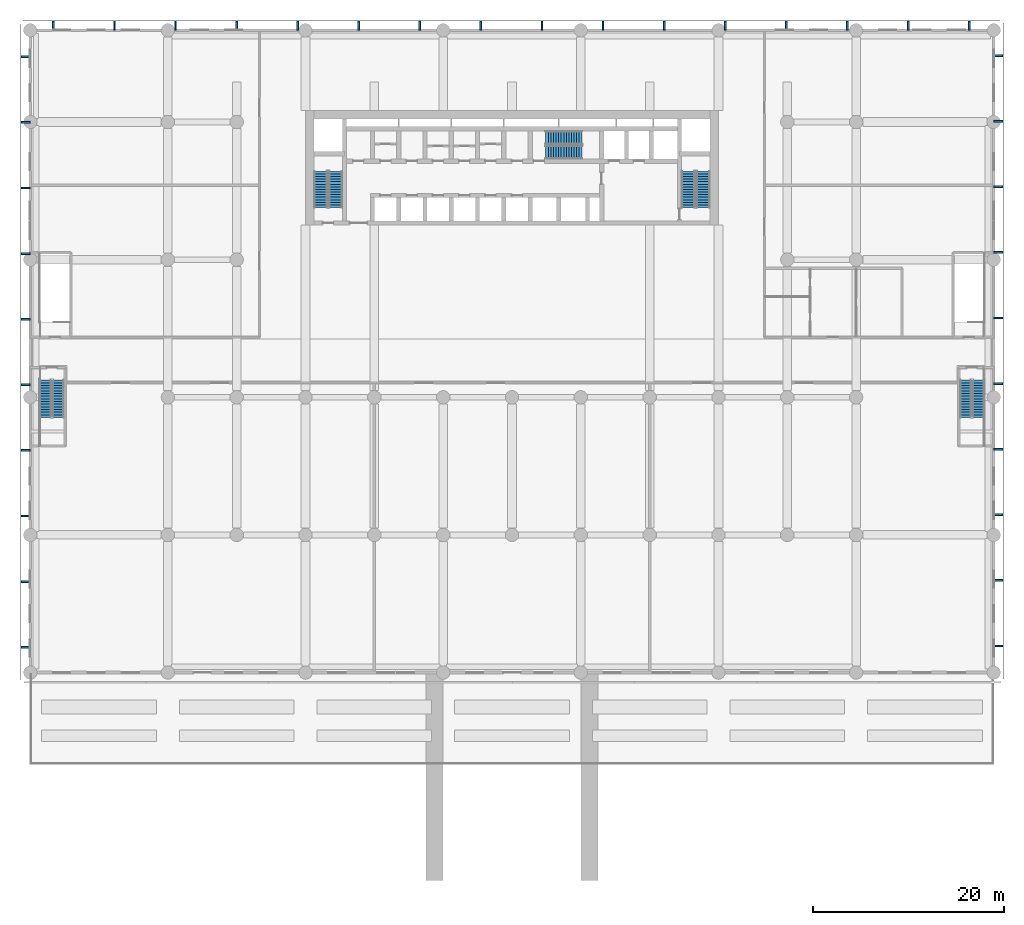
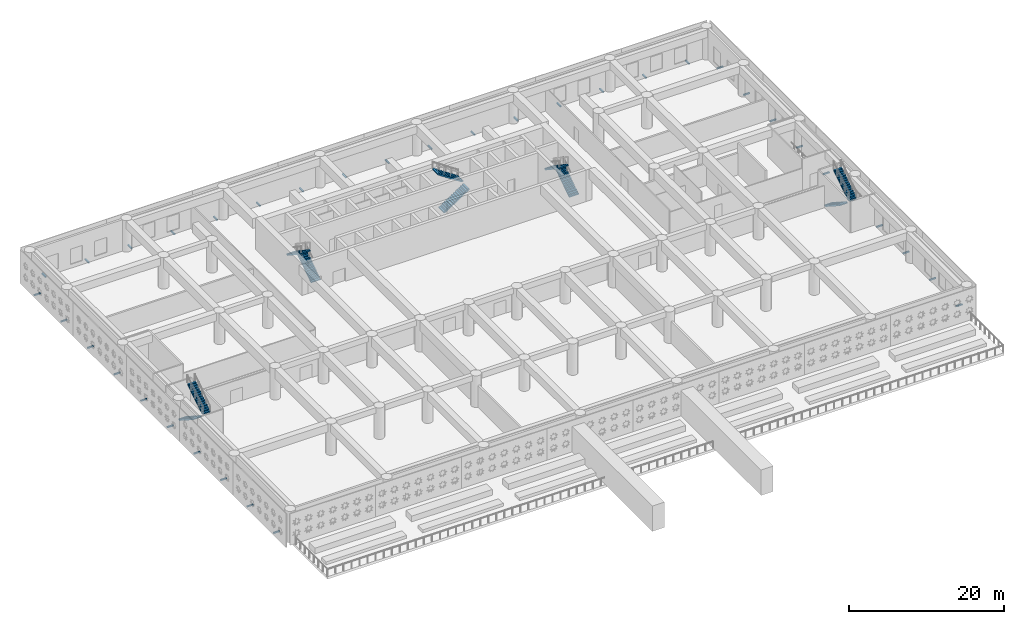
# One storey, part 10 of 24: 36 discrete accessories, 10 stair flights, 5 elements without a shape of their own.
"""IFC4 building model written with IfcOpenShell, lengths in metres."""

from ifc_helpers import new_model, si_unit, direction, frame, origin, origin_2d, place, context, subcontext, project, spatial, polyline, rectangle, outline, extrude, source, transform, mapped, material, layer, layer_set, type_object, element, aggregate, save


model = new_model("IFC4")

# Units and contexts
model_context = context("Model", 3, precision=1e-05, world=origin(), true_north=direction((0.0, 1.0)))
body_context = subcontext(model_context, "Body", "Model", "MODEL_VIEW")
ifc_project = project(units=[si_unit("LENGTHUNIT", "METRE"), si_unit("AREAUNIT", "SQUARE_METRE"), si_unit("VOLUMEUNIT", "CUBIC_METRE"), si_unit("PLANEANGLEUNIT", "RADIAN"), si_unit("MASSUNIT", "GRAM", prefix="KILO")], contexts=[model_context])

# Site, building, storey
site_placement = place(None, origin())
site = spatial("IfcSite", under=ifc_project, at=site_placement, CompositionType="ELEMENT")
building_placement = place(site_placement, origin())
building = spatial("IfcBuilding", under=site, at=building_placement, Name="Saffron Iwan Residences", CompositionType="ELEMENT")
storey_placement = place(building_placement, frame((0.0, 0.0, 21.60009765625)))
storey = spatial("IfcBuildingStorey", under=building, at=storey_placement, Name="L04", CompositionType="ELEMENT", Elevation=21.60009765625)

# Stair, stair flights
ifc_material_1 = material(Name="Concrete C40/50", Category="concrete")
stair_type_1 = type_object("IfcStairType", Name="Podium stair, reinforced concrete", PredefinedType="HALF_TURN_STAIR", material=ifc_material_1)
stair_1_placement = place(storey_placement, origin())
stair_1 = element("IfcStair", 1, at=stair_1_placement, inside=storey, type_object=stair_type_1, Name="L04 Podium Stair 1", PredefinedType="HALF_TURN_STAIR")
stair_flight_type_1 = type_object("IfcStairFlightType", Name="Podium stair flight, reinforced concrete", PredefinedType="STRAIGHT", material=ifc_material_1)
stair_flight_1_placement = place(storey_placement, frame((1.60009765625, 49.800048828125, 0.0), z_axis=(0.0, 0.0, 1.0), x_axis=(0.0, -1.0, 0.0)))
stair_flight_1 = element("IfcStairFlight", 2, at=stair_flight_1_placement, type_object=stair_flight_type_1, Name="PS1 flight 1", NumberOfRisers=15, NumberOfTreads=14, PredefinedType="STRAIGHT", RiserHeight=0.18, TreadLength=0.28, context=body_context, shape_type="SweptSolid", body=[
    extrude(outline(polyline([(0.0, 0.0), (0.0, 0.179931640625), (0.280029296875, 0.179931640625), (0.280029296875, 0.360107421875), (0.56005859375, 0.360107421875), (0.56005859375, 0.5400390625), (0.840087890625, 0.5400390625), (0.840087890625, 0.719970703125), (1.1201171875, 0.719970703125), (1.1201171875, 0.89990234375), (1.39990234375, 0.89990234375), (1.39990234375, 1.080078125), (1.679931640625, 1.080078125), (1.679931640625, 1.260009765625), (1.9599609375, 1.260009765625), (1.9599609375, 1.43994140625), (2.239990234375, 1.43994140625), (2.239990234375, 1.6201171875), (2.52001953125, 1.6201171875), (2.52001953125, 1.800048828125), (2.800048828125, 1.800048828125), (2.800048828125, 1.97998046875), (3.080078125, 1.97998046875), (3.080078125, 2.159912109375), (3.360107421875, 2.159912109375), (3.360107421875, 2.340087890625), (3.639892578125, 2.340087890625), (3.639892578125, 2.52001953125), (3.919921875, 2.52001953125), (3.919921875, 2.699951171875), (3.919921875, 2.341796875), (0.277099609375, 0.0), (0.0, 0.0)])), frame((0.0, 0.60009765625, 0.0), z_axis=(0.0, -1.0, 0.0), x_axis=(1.0, 0.0, 0.0)), (0.0, 0.0, 1.0), 1.199951171875),
])
stair_flight_2_placement = place(storey_placement, frame((2.949951171875, 45.8798828125, 2.699951171875), z_axis=(0.0, 0.0, 1.0), x_axis=(0.0, 1.0, 0.0)))
stair_flight_2 = element("IfcStairFlight", 3, at=stair_flight_2_placement, type_object=stair_flight_type_1, Name="PS1 flight 2", NumberOfRisers=15, NumberOfTreads=14, PredefinedType="STRAIGHT", RiserHeight=0.18, TreadLength=0.28, context=body_context, shape_type="SweptSolid", body=[
    extrude(outline(polyline([(0.0, 0.0), (0.0, 0.179931640625), (0.280029296875, 0.179931640625), (0.280029296875, 0.360107421875), (0.56005859375, 0.360107421875), (0.56005859375, 0.5400390625), (0.840087890625, 0.5400390625), (0.840087890625, 0.719970703125), (1.1201171875, 0.719970703125), (1.1201171875, 0.89990234375), (1.39990234375, 0.89990234375), (1.39990234375, 1.080078125), (1.679931640625, 1.080078125), (1.679931640625, 1.260009765625), (1.9599609375, 1.260009765625), (1.9599609375, 1.43994140625), (2.239990234375, 1.43994140625), (2.239990234375, 1.6201171875), (2.52001953125, 1.6201171875), (2.52001953125, 1.800048828125), (2.800048828125, 1.800048828125), (2.800048828125, 1.97998046875), (3.080078125, 1.97998046875), (3.080078125, 2.159912109375), (3.360107421875, 2.159912109375), (3.360107421875, 2.340087890625), (3.639892578125, 2.340087890625), (3.639892578125, 2.52001953125), (3.919921875, 2.52001953125), (3.919921875, 2.699951171875), (3.919921875, 2.341796875), (0.277099609375, 0.0), (0.0, 0.0)])), frame((0.0, 0.60009765625, 0.0), z_axis=(0.0, -1.0, 0.0), x_axis=(1.0, 0.0, 0.0)), (0.0, 0.0, 1.0), 1.199951171875),
])
aggregate(stair_1, [stair_flight_1, stair_flight_2])

stair_2_placement = place(storey_placement, origin())
stair_2 = element("IfcStair", 4, at=stair_2_placement, inside=storey, type_object=stair_type_1, Name="L04 Podium Stair 2", PredefinedType="HALF_TURN_STAIR")
stair_flight_3_placement = place(storey_placement, frame((97.85009765625, 49.800048828125, 0.0), z_axis=(0.0, 0.0, 1.0), x_axis=(0.0, -1.0, 0.0)))
stair_flight_3 = element("IfcStairFlight", 5, at=stair_flight_3_placement, type_object=stair_flight_type_1, Name="PS2 flight 1", NumberOfRisers=15, NumberOfTreads=14, PredefinedType="STRAIGHT", RiserHeight=0.18, TreadLength=0.28, context=body_context, shape_type="SweptSolid", body=[
    extrude(outline(polyline([(0.0, 0.0), (0.0, 0.179931640625), (0.280029296875, 0.179931640625), (0.280029296875, 0.360107421875), (0.56005859375, 0.360107421875), (0.56005859375, 0.5400390625), (0.840087890625, 0.5400390625), (0.840087890625, 0.719970703125), (1.1201171875, 0.719970703125), (1.1201171875, 0.89990234375), (1.39990234375, 0.89990234375), (1.39990234375, 1.080078125), (1.679931640625, 1.080078125), (1.679931640625, 1.260009765625), (1.9599609375, 1.260009765625), (1.9599609375, 1.43994140625), (2.239990234375, 1.43994140625), (2.239990234375, 1.6201171875), (2.52001953125, 1.6201171875), (2.52001953125, 1.800048828125), (2.800048828125, 1.800048828125), (2.800048828125, 1.97998046875), (3.080078125, 1.97998046875), (3.080078125, 2.159912109375), (3.360107421875, 2.159912109375), (3.360107421875, 2.340087890625), (3.639892578125, 2.340087890625), (3.639892578125, 2.52001953125), (3.919921875, 2.52001953125), (3.919921875, 2.699951171875), (3.919921875, 2.341796875), (0.277099609375, 0.0), (0.0, 0.0)])), frame((0.0, 0.60009765625, 0.0), z_axis=(0.0, -1.0, 0.0), x_axis=(1.0, 0.0, 0.0)), (0.0, 0.0, 1.0), 1.199951171875),
])
stair_flight_4_placement = place(storey_placement, frame((99.199951171875, 45.8798828125, 2.699951171875), z_axis=(0.0, 0.0, 1.0), x_axis=(0.0, 1.0, 0.0)))
stair_flight_4 = element("IfcStairFlight", 6, at=stair_flight_4_placement, type_object=stair_flight_type_1, Name="PS2 flight 2", NumberOfRisers=15, NumberOfTreads=14, PredefinedType="STRAIGHT", RiserHeight=0.18, TreadLength=0.28, context=body_context, shape_type="SweptSolid", body=[
    extrude(outline(polyline([(0.0, 0.0), (0.0, 0.179931640625), (0.280029296875, 0.179931640625), (0.280029296875, 0.360107421875), (0.56005859375, 0.360107421875), (0.56005859375, 0.5400390625), (0.840087890625, 0.5400390625), (0.840087890625, 0.719970703125), (1.1201171875, 0.719970703125), (1.1201171875, 0.89990234375), (1.39990234375, 0.89990234375), (1.39990234375, 1.080078125), (1.679931640625, 1.080078125), (1.679931640625, 1.260009765625), (1.9599609375, 1.260009765625), (1.9599609375, 1.43994140625), (2.239990234375, 1.43994140625), (2.239990234375, 1.6201171875), (2.52001953125, 1.6201171875), (2.52001953125, 1.800048828125), (2.800048828125, 1.800048828125), (2.800048828125, 1.97998046875), (3.080078125, 1.97998046875), (3.080078125, 2.159912109375), (3.360107421875, 2.159912109375), (3.360107421875, 2.340087890625), (3.639892578125, 2.340087890625), (3.639892578125, 2.52001953125), (3.919921875, 2.52001953125), (3.919921875, 2.699951171875), (3.919921875, 2.341796875), (0.277099609375, 0.0), (0.0, 0.0)])), frame((0.0, 0.60009765625, 0.0), z_axis=(0.0, -1.0, 0.0), x_axis=(1.0, 0.0, 0.0)), (0.0, 0.0, 1.0), 1.199951171875),
])
aggregate(stair_2, [stair_flight_3, stair_flight_4])

ifc_material_2 = material(Name="Concrete C50/60", Category="concrete")
stair_type_2 = type_object("IfcStairType", Name="Stair ST-CORE", PredefinedType="HALF_TURN_STAIR", material=ifc_material_2)
stair_3_placement = place(storey_placement, origin())
stair_3 = element("IfcStair", 7, at=stair_3_placement, inside=storey, type_object=stair_type_2, Name="L04 Exit Stair ST-W", PredefinedType="HALF_TURN_STAIR")
ifc_layer = layer(ifc_material_2, 0.14990234375)
ifc_layer_set = layer_set([ifc_layer], Name="Concrete C50/60")
stair_flight_type_2 = type_object("IfcStairFlightType", Name="Stair flight SFL-RC", PredefinedType="STRAIGHT", material=ifc_layer_set)
stair_flight_5_placement = place(storey_placement, frame((31.949951171875, 67.85009765625, 0.0), z_axis=(0.0, 0.0, 1.0), x_axis=(0.0, 1.0, 0.0)))
stair_flight_5 = element("IfcStairFlight", 8, at=stair_flight_5_placement, type_object=stair_flight_type_2, Name="ST-W flight 1", NumberOfRisers=15, NumberOfTreads=14, PredefinedType="STRAIGHT", RiserHeight=0.18, TreadLength=0.27, context=body_context, shape_type="SweptSolid", body=[
    extrude(outline(polyline([(0.0, 0.0), (0.0, 0.179931640625), (0.27001953125, 0.179931640625), (0.27001953125, 0.360107421875), (0.5400390625, 0.360107421875), (0.5400390625, 0.5400390625), (0.81005859375, 0.5400390625), (0.81005859375, 0.719970703125), (1.080078125, 0.719970703125), (1.080078125, 0.89990234375), (1.35009765625, 0.89990234375), (1.35009765625, 1.080078125), (1.6201171875, 1.080078125), (1.6201171875, 1.260009765625), (1.889892578125, 1.260009765625), (1.889892578125, 1.43994140625), (2.159912109375, 1.43994140625), (2.159912109375, 1.6201171875), (2.429931640625, 1.6201171875), (2.429931640625, 1.800048828125), (2.699951171875, 1.800048828125), (2.699951171875, 1.97998046875), (2.969970703125, 1.97998046875), (2.969970703125, 2.159912109375), (3.239990234375, 2.159912109375), (3.239990234375, 2.340087890625), (3.510009765625, 2.340087890625), (3.510009765625, 2.52001953125), (3.780029296875, 2.52001953125), (3.780029296875, 2.699951171875), (3.780029296875, 2.33984375), (0.270263671875, 0.0), (0.0, 0.0)])), frame((0.0, 0.699951171875, 0.0), z_axis=(0.0, -1.0, 0.0), x_axis=(1.0, 0.0, 0.0)), (0.0, 0.0, 1.0), 1.39990234375),
])
stair_flight_6_placement = place(storey_placement, frame((30.39990234375, 71.6298828125, 2.699951171875), z_axis=(0.0, 0.0, 1.0), x_axis=(0.0, -1.0, 0.0)))
stair_flight_6 = element("IfcStairFlight", 9, at=stair_flight_6_placement, type_object=stair_flight_type_2, Name="ST-W flight 2", NumberOfRisers=15, NumberOfTreads=14, PredefinedType="STRAIGHT", RiserHeight=0.18, TreadLength=0.27, context=body_context, shape_type="SweptSolid", body=[
    extrude(outline(polyline([(0.0, 0.0), (0.0, 0.179931640625), (0.27001953125, 0.179931640625), (0.27001953125, 0.360107421875), (0.5400390625, 0.360107421875), (0.5400390625, 0.5400390625), (0.81005859375, 0.5400390625), (0.81005859375, 0.719970703125), (1.080078125, 0.719970703125), (1.080078125, 0.89990234375), (1.35009765625, 0.89990234375), (1.35009765625, 1.080078125), (1.6201171875, 1.080078125), (1.6201171875, 1.260009765625), (1.889892578125, 1.260009765625), (1.889892578125, 1.43994140625), (2.159912109375, 1.43994140625), (2.159912109375, 1.6201171875), (2.429931640625, 1.6201171875), (2.429931640625, 1.800048828125), (2.699951171875, 1.800048828125), (2.699951171875, 1.97998046875), (2.969970703125, 1.97998046875), (2.969970703125, 2.159912109375), (3.239990234375, 2.159912109375), (3.239990234375, 2.340087890625), (3.510009765625, 2.340087890625), (3.510009765625, 2.52001953125), (3.780029296875, 2.52001953125), (3.780029296875, 2.699951171875), (3.780029296875, 2.33984375), (0.270263671875, 0.0), (0.0, 0.0)])), frame((0.0, 0.699951171875, 0.0), z_axis=(0.0, -1.0, 0.0), x_axis=(1.0, 0.0, 0.0)), (0.0, 0.0, 1.0), 1.39990234375),
])
aggregate(stair_3, [stair_flight_5, stair_flight_6])

stair_4_placement = place(storey_placement, origin())
stair_4 = element("IfcStair", 10, at=stair_4_placement, inside=storey, type_object=stair_type_2, Name="L04 Exit Stair ST-C", PredefinedType="HALF_TURN_STAIR")
stair_flight_7_placement = place(storey_placement, frame((53.925048828125, 73.625, 0.0), z_axis=(0.0, 0.0, 1.0), x_axis=(1.0, 0.0, 0.0)))
stair_flight_7 = element("IfcStairFlight", 11, at=stair_flight_7_placement, type_object=stair_flight_type_2, Name="ST-C flight 1", NumberOfRisers=15, NumberOfTreads=14, PredefinedType="STRAIGHT", RiserHeight=0.18, TreadLength=0.27, context=body_context, shape_type="SweptSolid", body=[
    extrude(outline(polyline([(0.0, 0.0), (0.0, 0.179931640625), (0.27001953125, 0.179931640625), (0.27001953125, 0.360107421875), (0.5400390625, 0.360107421875), (0.5400390625, 0.5400390625), (0.81005859375, 0.5400390625), (0.81005859375, 0.719970703125), (1.080078125, 0.719970703125), (1.080078125, 0.89990234375), (1.35009765625, 0.89990234375), (1.35009765625, 1.080078125), (1.6201171875, 1.080078125), (1.6201171875, 1.260009765625), (1.889892578125, 1.260009765625), (1.889892578125, 1.43994140625), (2.159912109375, 1.43994140625), (2.159912109375, 1.6201171875), (2.429931640625, 1.6201171875), (2.429931640625, 1.800048828125), (2.699951171875, 1.800048828125), (2.699951171875, 1.97998046875), (2.969970703125, 1.97998046875), (2.969970703125, 2.159912109375), (3.239990234375, 2.159912109375), (3.239990234375, 2.340087890625), (3.510009765625, 2.340087890625), (3.510009765625, 2.52001953125), (3.780029296875, 2.52001953125), (3.780029296875, 2.699951171875), (3.780029296875, 2.33984375), (0.270263671875, 0.0), (0.0, 0.0)])), frame((0.0, 0.699951171875, 0.0), z_axis=(0.0, -1.0, 0.0), x_axis=(1.0, 0.0, 0.0)), (0.0, 0.0, 1.0), 1.39990234375),
])
stair_flight_8_placement = place(storey_placement, frame((57.705078125, 75.175048828125, 2.699951171875), z_axis=(0.0, 0.0, 1.0), x_axis=(-1.0, 0.0, 0.0)))
stair_flight_8 = element("IfcStairFlight", 12, at=stair_flight_8_placement, type_object=stair_flight_type_2, Name="ST-C flight 2", NumberOfRisers=15, NumberOfTreads=14, PredefinedType="STRAIGHT", RiserHeight=0.18, TreadLength=0.27, context=body_context, shape_type="SweptSolid", body=[
    extrude(outline(polyline([(0.0, 0.0), (0.0, 0.179931640625), (0.27001953125, 0.179931640625), (0.27001953125, 0.360107421875), (0.5400390625, 0.360107421875), (0.5400390625, 0.5400390625), (0.81005859375, 0.5400390625), (0.81005859375, 0.719970703125), (1.080078125, 0.719970703125), (1.080078125, 0.89990234375), (1.35009765625, 0.89990234375), (1.35009765625, 1.080078125), (1.6201171875, 1.080078125), (1.6201171875, 1.260009765625), (1.889892578125, 1.260009765625), (1.889892578125, 1.43994140625), (2.159912109375, 1.43994140625), (2.159912109375, 1.6201171875), (2.429931640625, 1.6201171875), (2.429931640625, 1.800048828125), (2.699951171875, 1.800048828125), (2.699951171875, 1.97998046875), (2.969970703125, 1.97998046875), (2.969970703125, 2.159912109375), (3.239990234375, 2.159912109375), (3.239990234375, 2.340087890625), (3.510009765625, 2.340087890625), (3.510009765625, 2.52001953125), (3.780029296875, 2.52001953125), (3.780029296875, 2.699951171875), (3.780029296875, 2.33984375), (0.270263671875, 0.0), (0.0, 0.0)])), frame((0.0, 0.699951171875, 0.0), z_axis=(0.0, -1.0, 0.0), x_axis=(1.0, 0.0, 0.0)), (0.0, 0.0, 1.0), 1.39990234375),
])
aggregate(stair_4, [stair_flight_7, stair_flight_8])

stair_5_placement = place(storey_placement, origin())
stair_5 = element("IfcStair", 13, at=stair_5_placement, inside=storey, type_object=stair_type_2, Name="L04 Exit Stair ST-E", PredefinedType="HALF_TURN_STAIR")
stair_flight_9_placement = place(storey_placement, frame((70.39990234375, 67.85009765625, 0.0), z_axis=(0.0, 0.0, 1.0), x_axis=(0.0, 1.0, 0.0)))
stair_flight_9 = element("IfcStairFlight", 14, at=stair_flight_9_placement, type_object=stair_flight_type_2, Name="ST-E flight 1", NumberOfRisers=15, NumberOfTreads=14, PredefinedType="STRAIGHT", RiserHeight=0.18, TreadLength=0.27, context=body_context, shape_type="SweptSolid", body=[
    extrude(outline(polyline([(0.0, 0.0), (0.0, 0.179931640625), (0.27001953125, 0.179931640625), (0.27001953125, 0.360107421875), (0.5400390625, 0.360107421875), (0.5400390625, 0.5400390625), (0.81005859375, 0.5400390625), (0.81005859375, 0.719970703125), (1.080078125, 0.719970703125), (1.080078125, 0.89990234375), (1.35009765625, 0.89990234375), (1.35009765625, 1.080078125), (1.6201171875, 1.080078125), (1.6201171875, 1.260009765625), (1.889892578125, 1.260009765625), (1.889892578125, 1.43994140625), (2.159912109375, 1.43994140625), (2.159912109375, 1.6201171875), (2.429931640625, 1.6201171875), (2.429931640625, 1.800048828125), (2.699951171875, 1.800048828125), (2.699951171875, 1.97998046875), (2.969970703125, 1.97998046875), (2.969970703125, 2.159912109375), (3.239990234375, 2.159912109375), (3.239990234375, 2.340087890625), (3.510009765625, 2.340087890625), (3.510009765625, 2.52001953125), (3.780029296875, 2.52001953125), (3.780029296875, 2.699951171875), (3.780029296875, 2.33984375), (0.270263671875, 0.0), (0.0, 0.0)])), frame((0.0, 0.699951171875, 0.0), z_axis=(0.0, -1.0, 0.0), x_axis=(1.0, 0.0, 0.0)), (0.0, 0.0, 1.0), 1.39990234375),
])
stair_flight_10_placement = place(storey_placement, frame((68.85009765625, 71.6298828125, 2.699951171875), z_axis=(0.0, 0.0, 1.0), x_axis=(0.0, -1.0, 0.0)))
stair_flight_10 = element("IfcStairFlight", 15, at=stair_flight_10_placement, type_object=stair_flight_type_2, Name="ST-E flight 2", NumberOfRisers=15, NumberOfTreads=14, PredefinedType="STRAIGHT", RiserHeight=0.18, TreadLength=0.27, context=body_context, shape_type="SweptSolid", body=[
    extrude(outline(polyline([(0.0, 0.0), (0.0, 0.179931640625), (0.27001953125, 0.179931640625), (0.27001953125, 0.360107421875), (0.5400390625, 0.360107421875), (0.5400390625, 0.5400390625), (0.81005859375, 0.5400390625), (0.81005859375, 0.719970703125), (1.080078125, 0.719970703125), (1.080078125, 0.89990234375), (1.35009765625, 0.89990234375), (1.35009765625, 1.080078125), (1.6201171875, 1.080078125), (1.6201171875, 1.260009765625), (1.889892578125, 1.260009765625), (1.889892578125, 1.43994140625), (2.159912109375, 1.43994140625), (2.159912109375, 1.6201171875), (2.429931640625, 1.6201171875), (2.429931640625, 1.800048828125), (2.699951171875, 1.800048828125), (2.699951171875, 1.97998046875), (2.969970703125, 1.97998046875), (2.969970703125, 2.159912109375), (3.239990234375, 2.159912109375), (3.239990234375, 2.340087890625), (3.510009765625, 2.340087890625), (3.510009765625, 2.52001953125), (3.780029296875, 2.52001953125), (3.780029296875, 2.699951171875), (3.780029296875, 2.33984375), (0.270263671875, 0.0), (0.0, 0.0)])), frame((0.0, 0.699951171875, 0.0), z_axis=(0.0, -1.0, 0.0), x_axis=(1.0, 0.0, 0.0)), (0.0, 0.0, 1.0), 1.39990234375),
])
aggregate(stair_5, [stair_flight_9, stair_flight_10])

# Discrete accessories
shared_shape = source(origin(), body_context, "Body", "SweptSolid", [
    extrude(rectangle(XDim=0.949951171875, YDim=0.199951171875, at=origin_2d()), origin(), (0.0, 0.0, 1.0), 0.199951171875),
])
for number, where, z_axis, x_axis, name in (
    (16, (101.27490234375, 21.98095703125, -0.30029296875), (0.0, 0.0, 1.0), (1.0, 0.0, 0.0), "Screen bracket L04 F1.0.0"),
    (17, (101.27490234375, 28.843017578125, -0.30029296875), (0.0, 0.0, 1.0), (1.0, 0.0, 0.0), "Screen bracket L04 F1.0.1"),
    (18, (101.27490234375, 35.705078125, -0.30029296875), (0.0, 0.0, 1.0), (1.0, 0.0, 0.0), "Screen bracket L04 F1.1.0"),
    (19, (101.27490234375, 42.56689453125, -0.30029296875), (0.0, 0.0, 1.0), (1.0, 0.0, 0.0), "Screen bracket L04 F1.1.1"),
    (20, (101.27490234375, 49.428955078125, -0.30029296875), (0.0, 0.0, 1.0), (1.0, 0.0, 0.0), "Screen bracket L04 F1.2.0"),
    (21, (101.27490234375, 56.291015625, -0.30029296875), (0.0, 0.0, 1.0), (1.0, 0.0, 0.0), "Screen bracket L04 F1.2.1"),
    (22, (101.27490234375, 63.153076171875, -0.30029296875), (0.0, 0.0, 1.0), (1.0, 0.0, 0.0), "Screen bracket L04 F1.3.0"),
    (23, (101.27490234375, 70.014892578125, -0.30029296875), (0.0, 0.0, 1.0), (1.0, 0.0, 0.0), "Screen bracket L04 F1.3.1"),
    (24, (101.27490234375, 76.876953125, -0.30029296875), (0.0, 0.0, 1.0), (1.0, 0.0, 0.0), "Screen bracket L04 F1.4.0"),
    (25, (101.27490234375, 83.739013671875, -0.30029296875), (0.0, 0.0, 1.0), (1.0, 0.0, 0.0), "Screen bracket L04 F1.4.1"),
    (26, (98.255615234375, 86.875, -0.30029296875), (0.0, 0.0, 1.0), (0.0, 1.0, 0.0), "Screen bracket L04 F2.0.0"),
    (27, (91.866943359375, 86.875, -0.30029296875), (0.0, 0.0, 1.0), (0.0, 1.0, 0.0), "Screen bracket L04 F2.0.1"),
    (28, (85.47802734375, 86.875, -0.30029296875), (0.0, 0.0, 1.0), (0.0, 1.0, 0.0), "Screen bracket L04 F2.1.0"),
    (29, (79.08935546875, 86.875, -0.30029296875), (0.0, 0.0, 1.0), (0.0, 1.0, 0.0), "Screen bracket L04 F2.1.1"),
    (30, (72.70068359375, 86.875, -0.30029296875), (0.0, 0.0, 1.0), (0.0, 1.0, 0.0), "Screen bracket L04 F2.2.0"),
    (31, (66.31201171875, 86.875, -0.30029296875), (0.0, 0.0, 1.0), (0.0, 1.0, 0.0), "Screen bracket L04 F2.2.1"),
    (32, (59.923095703125, 86.875, -0.30029296875), (0.0, 0.0, 1.0), (0.0, 1.0, 0.0), "Screen bracket L04 F2.3.0"),
    (33, (53.534423828125, 86.875, -0.30029296875), (0.0, 0.0, 1.0), (0.0, 1.0, 0.0), "Screen bracket L04 F2.3.1"),
    (34, (47.1455078125, 86.875, -0.30029296875), (0.0, 0.0, 1.0), (0.0, 1.0, 0.0), "Screen bracket L04 F2.4.0"),
    (35, (40.7568359375, 86.875, -0.30029296875), (0.0, 0.0, 1.0), (0.0, 1.0, 0.0), "Screen bracket L04 F2.4.1"),
    (36, (34.3681640625, 86.875, -0.30029296875), (0.0, 0.0, 1.0), (0.0, 1.0, 0.0), "Screen bracket L04 F2.5.0"),
    (37, (27.9794921875, 86.875, -0.30029296875), (0.0, 0.0, 1.0), (0.0, 1.0, 0.0), "Screen bracket L04 F2.5.1"),
    (38, (21.590576171875, 86.875, -0.30029296875), (0.0, 0.0, 1.0), (0.0, 1.0, 0.0), "Screen bracket L04 F2.6.0"),
    (39, (15.201904296875, 86.875, -0.30029296875), (0.0, 0.0, 1.0), (0.0, 1.0, 0.0), "Screen bracket L04 F2.6.1"),
    (40, (8.81298828125, 86.875, -0.30029296875), (0.0, 0.0, 1.0), (0.0, 1.0, 0.0), "Screen bracket L04 F2.7.0"),
    (41, (2.42431640625, 86.875, -0.30029296875), (0.0, 0.0, 1.0), (0.0, 1.0, 0.0), "Screen bracket L04 F2.7.1"),
    (42, (-0.47509765625, 83.618896484375, -0.30029296875), (0.0, 0.0, 1.0), (-1.0, 0.0, 0.0), "Screen bracket L04 F3.0.0"),
    (43, (-0.47509765625, 76.757080078125, -0.30029296875), (0.0, 0.0, 1.0), (-1.0, 0.0, 0.0), "Screen bracket L04 F3.0.1"),
    (44, (-0.47509765625, 69.89501953125, -0.30029296875), (0.0, 0.0, 1.0), (-1.0, 0.0, 0.0), "Screen bracket L04 F3.1.0"),
    (45, (-0.47509765625, 63.032958984375, -0.30029296875), (0.0, 0.0, 1.0), (-1.0, 0.0, 0.0), "Screen bracket L04 F3.1.1"),
    (46, (-0.47509765625, 56.1708984375, -0.30029296875), (0.0, 0.0, 1.0), (-1.0, 0.0, 0.0), "Screen bracket L04 F3.2.0"),
    (47, (-0.47509765625, 49.30908203125, -0.30029296875), (0.0, 0.0, 1.0), (-1.0, 0.0, 0.0), "Screen bracket L04 F3.2.1"),
    (48, (-0.47509765625, 42.447021484375, -0.30029296875), (0.0, 0.0, 1.0), (-1.0, 0.0, 0.0), "Screen bracket L04 F3.3.0"),
    (49, (-0.47509765625, 35.5849609375, -0.30029296875), (0.0, 0.0, 1.0), (-1.0, 0.0, 0.0), "Screen bracket L04 F3.3.1"),
    (50, (-0.47509765625, 28.722900390625, -0.30029296875), (0.0, 0.0, 1.0), (-1.0, 0.0, 0.0), "Screen bracket L04 F3.4.0"),
    (51, (-0.47509765625, 21.861083984375, -0.30029296875), (0.0, 0.0, 1.0), (-1.0, 0.0, 0.0), "Screen bracket L04 F3.4.1"),
):
    element("IfcDiscreteAccessory", number, at=place(storey_placement, frame(where, z_axis=z_axis, x_axis=x_axis)), inside=storey, Name=name, PredefinedType="BRACKET", context=body_context, shape_type="MappedRepresentation", body=[
        mapped(shared_shape, transform((0.0, 0.0, 0.0))),
    ])

save(model, "model.ifc")
